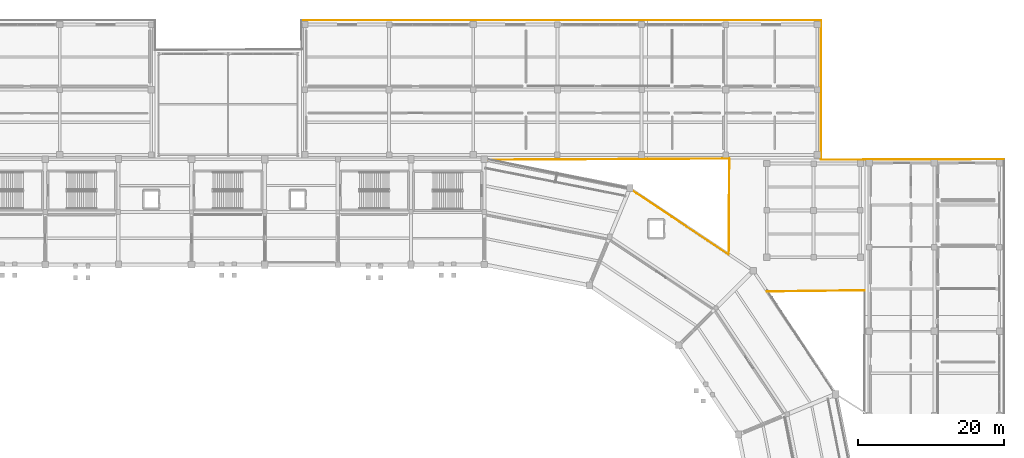
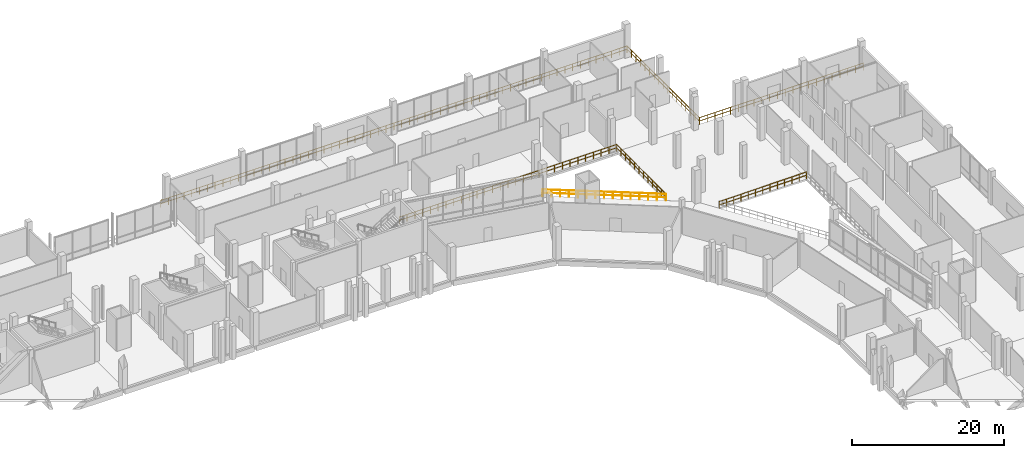
# One storey, part 114 of 114: 7 railings.
"""IFC4 building model written with IfcOpenShell, lengths in metres."""

from ifc_helpers import new_model, si_unit, direction, frame, origin, origin_2d, place, context, subcontext, project, spatial, circle, extrude, material, layer, layer_set, type_object, element, save


model = new_model("IFC4")

# Units and contexts
model_context = context("Model", 3, precision=1e-05, world=origin(), true_north=direction((0.0, 1.0)))
body_context = subcontext(model_context, "Body", "Model", "MODEL_VIEW")
ifc_project = project(units=[si_unit("LENGTHUNIT", "METRE"), si_unit("AREAUNIT", "SQUARE_METRE"), si_unit("VOLUMEUNIT", "CUBIC_METRE"), si_unit("PLANEANGLEUNIT", "RADIAN"), si_unit("MASSUNIT", "GRAM", prefix="KILO")], contexts=[model_context])

# Site, building, storey
site_placement = place(None, origin())
site = spatial("IfcSite", under=ifc_project, at=site_placement, CompositionType="ELEMENT")
building_placement = place(site_placement, origin())
building = spatial("IfcBuilding", under=site, at=building_placement, Name="Candeia Ridge Stadium", CompositionType="ELEMENT")
storey_placement = place(building_placement, frame((0.0, 0.0, 5.39990234375)))
storey = spatial("IfcBuildingStorey", under=building, at=storey_placement, Name="L01", CompositionType="ELEMENT", Elevation=5.39990234375)

# Railings
ifc_material = material(Name="Galvanized Powder-Coated Steel", Category="steel")
ifc_layer = layer(ifc_material, 0.074951171875, Name="Galvanized Powder-Coated Steel", Category="steel")
ifc_layer_set = layer_set([ifc_layer], Name="Galvanized Powder-Coated Steel")
railing_type = type_object("IfcRailingType", Name="Spectator Bowl Front Guardrail 1120", PredefinedType="GUARDRAIL", material=ifc_layer_set)
railing_1_placement = place(storey_placement, frame((116.0, 166.0, 0.0)))
element("IfcRailing", 1, at=railing_1_placement, inside=storey, type_object=railing_type, Name="Deck edge safety guardrail GR-DE-L01-0008", PredefinedType="GUARDRAIL", context=body_context, shape_type="SweptSolid", body=[
    extrude(circle(Radius=0.02392578125, at=origin_2d()), frame((0.0, 0.0, 1.09619140625), z_axis=(1.0, 0.0, 0.0), x_axis=(0.0, 1.0, 0.0)), (0.0, 0.0, 1.0), 71.0),
    extrude(circle(Radius=0.02392578125, at=origin_2d()), frame((0.0, 0.0, 0.56005859375), z_axis=(1.0, 0.0, 0.0), x_axis=(0.0, 1.0, 0.0)), (0.0, 0.0, 1.0), 71.0),
    extrude(circle(Radius=0.02099609375, at=origin_2d()), origin(), (0.0, 0.0, 1.0), 1.072021484375),
    extrude(circle(Radius=0.02099609375, at=origin_2d()), frame((1.183349609375, 0.0, 0.0)), (0.0, 0.0, 1.0), 1.072021484375),
    extrude(circle(Radius=0.02099609375, at=origin_2d()), frame((2.36669921875, 0.0, 0.0)), (0.0, 0.0, 1.0), 1.072021484375),
    extrude(circle(Radius=0.02099609375, at=origin_2d()), frame((3.550048828125, 0.0, 0.0)), (0.0, 0.0, 1.0), 1.072021484375),
    extrude(circle(Radius=0.02099609375, at=origin_2d()), frame((4.7333984375, 0.0, 0.0)), (0.0, 0.0, 1.0), 1.072021484375),
    extrude(circle(Radius=0.02099609375, at=origin_2d()), frame((5.916748046875, 0.0, 0.0)), (0.0, 0.0, 1.0), 1.072021484375),
    extrude(circle(Radius=0.02099609375, at=origin_2d()), frame((7.10009765625, 0.0, 0.0)), (0.0, 0.0, 1.0), 1.072021484375),
    extrude(circle(Radius=0.02099609375, at=origin_2d()), frame((8.283447265625, 0.0, 0.0)), (0.0, 0.0, 1.0), 1.072021484375),
    extrude(circle(Radius=0.02099609375, at=origin_2d()), frame((9.466552734375, 0.0, 0.0)), (0.0, 0.0, 1.0), 1.072021484375),
    extrude(circle(Radius=0.02099609375, at=origin_2d()), frame((10.64990234375, 0.0, 0.0)), (0.0, 0.0, 1.0), 1.072021484375),
    extrude(circle(Radius=0.02099609375, at=origin_2d()), frame((11.833251953125, 0.0, 0.0)), (0.0, 0.0, 1.0), 1.072021484375),
    extrude(circle(Radius=0.02099609375, at=origin_2d()), frame((13.0166015625, 0.0, 0.0)), (0.0, 0.0, 1.0), 1.072021484375),
    extrude(circle(Radius=0.02099609375, at=origin_2d()), frame((14.199951171875, 0.0, 0.0)), (0.0, 0.0, 1.0), 1.072021484375),
    extrude(circle(Radius=0.02099609375, at=origin_2d()), frame((15.38330078125, 0.0, 0.0)), (0.0, 0.0, 1.0), 1.072021484375),
    extrude(circle(Radius=0.02099609375, at=origin_2d()), frame((16.566650390625, 0.0, 0.0)), (0.0, 0.0, 1.0), 1.072021484375),
    extrude(circle(Radius=0.02099609375, at=origin_2d()), frame((17.75, 0.0, 0.0)), (0.0, 0.0, 1.0), 1.072021484375),
    extrude(circle(Radius=0.02099609375, at=origin_2d()), frame((18.933349609375, 0.0, 0.0)), (0.0, 0.0, 1.0), 1.072021484375),
    extrude(circle(Radius=0.02099609375, at=origin_2d()), frame((20.11669921875, 0.0, 0.0)), (0.0, 0.0, 1.0), 1.072021484375),
    extrude(circle(Radius=0.02099609375, at=origin_2d()), frame((21.300048828125, 0.0, 0.0)), (0.0, 0.0, 1.0), 1.072021484375),
    extrude(circle(Radius=0.02099609375, at=origin_2d()), frame((22.4833984375, 0.0, 0.0)), (0.0, 0.0, 1.0), 1.072021484375),
    extrude(circle(Radius=0.02099609375, at=origin_2d()), frame((23.666748046875, 0.0, 0.0)), (0.0, 0.0, 1.0), 1.072021484375),
    extrude(circle(Radius=0.02099609375, at=origin_2d()), frame((24.85009765625, 0.0, 0.0)), (0.0, 0.0, 1.0), 1.072021484375),
    extrude(circle(Radius=0.02099609375, at=origin_2d()), frame((26.033447265625, 0.0, 0.0)), (0.0, 0.0, 1.0), 1.072021484375),
    extrude(circle(Radius=0.02099609375, at=origin_2d()), frame((27.216552734375, 0.0, 0.0)), (0.0, 0.0, 1.0), 1.072021484375),
    extrude(circle(Radius=0.02099609375, at=origin_2d()), frame((28.39990234375, 0.0, 0.0)), (0.0, 0.0, 1.0), 1.072021484375),
    extrude(circle(Radius=0.02099609375, at=origin_2d()), frame((29.583251953125, 0.0, 0.0)), (0.0, 0.0, 1.0), 1.072021484375),
    extrude(circle(Radius=0.02099609375, at=origin_2d()), frame((30.7666015625, 0.0, 0.0)), (0.0, 0.0, 1.0), 1.072021484375),
    extrude(circle(Radius=0.02099609375, at=origin_2d()), frame((31.949951171875, 0.0, 0.0)), (0.0, 0.0, 1.0), 1.072021484375),
    extrude(circle(Radius=0.02099609375, at=origin_2d()), frame((33.13330078125, 0.0, 0.0)), (0.0, 0.0, 1.0), 1.072021484375),
    extrude(circle(Radius=0.02099609375, at=origin_2d()), frame((34.316650390625, 0.0, 0.0)), (0.0, 0.0, 1.0), 1.072021484375),
    extrude(circle(Radius=0.02099609375, at=origin_2d()), frame((35.5, 0.0, 0.0)), (0.0, 0.0, 1.0), 1.072021484375),
    extrude(circle(Radius=0.02099609375, at=origin_2d()), frame((36.683349609375, 0.0, 0.0)), (0.0, 0.0, 1.0), 1.072021484375),
    extrude(circle(Radius=0.02099609375, at=origin_2d()), frame((37.86669921875, 0.0, 0.0)), (0.0, 0.0, 1.0), 1.072021484375),
    extrude(circle(Radius=0.02099609375, at=origin_2d()), frame((39.050048828125, 0.0, 0.0)), (0.0, 0.0, 1.0), 1.072021484375),
    extrude(circle(Radius=0.02099609375, at=origin_2d()), frame((40.2333984375, 0.0, 0.0)), (0.0, 0.0, 1.0), 1.072021484375),
    extrude(circle(Radius=0.02099609375, at=origin_2d()), frame((41.416748046875, 0.0, 0.0)), (0.0, 0.0, 1.0), 1.072021484375),
    extrude(circle(Radius=0.02099609375, at=origin_2d()), frame((42.60009765625, 0.0, 0.0)), (0.0, 0.0, 1.0), 1.072021484375),
    extrude(circle(Radius=0.02099609375, at=origin_2d()), frame((43.783447265625, 0.0, 0.0)), (0.0, 0.0, 1.0), 1.072021484375),
    extrude(circle(Radius=0.02099609375, at=origin_2d()), frame((44.966552734375, 0.0, 0.0)), (0.0, 0.0, 1.0), 1.072021484375),
    extrude(circle(Radius=0.02099609375, at=origin_2d()), frame((46.14990234375, 0.0, 0.0)), (0.0, 0.0, 1.0), 1.072021484375),
    extrude(circle(Radius=0.02099609375, at=origin_2d()), frame((47.333251953125, 0.0, 0.0)), (0.0, 0.0, 1.0), 1.072021484375),
    extrude(circle(Radius=0.02099609375, at=origin_2d()), frame((48.5166015625, 0.0, 0.0)), (0.0, 0.0, 1.0), 1.072021484375),
    extrude(circle(Radius=0.02099609375, at=origin_2d()), frame((49.699951171875, 0.0, 0.0)), (0.0, 0.0, 1.0), 1.072021484375),
    extrude(circle(Radius=0.02099609375, at=origin_2d()), frame((50.88330078125, 0.0, 0.0)), (0.0, 0.0, 1.0), 1.072021484375),
    extrude(circle(Radius=0.02099609375, at=origin_2d()), frame((52.066650390625, 0.0, 0.0)), (0.0, 0.0, 1.0), 1.072021484375),
    extrude(circle(Radius=0.02099609375, at=origin_2d()), frame((53.25, 0.0, 0.0)), (0.0, 0.0, 1.0), 1.072021484375),
    extrude(circle(Radius=0.02099609375, at=origin_2d()), frame((54.433349609375, 0.0, 0.0)), (0.0, 0.0, 1.0), 1.072021484375),
    extrude(circle(Radius=0.02099609375, at=origin_2d()), frame((55.61669921875, 0.0, 0.0)), (0.0, 0.0, 1.0), 1.072021484375),
    extrude(circle(Radius=0.02099609375, at=origin_2d()), frame((56.800048828125, 0.0, 0.0)), (0.0, 0.0, 1.0), 1.072021484375),
    extrude(circle(Radius=0.02099609375, at=origin_2d()), frame((57.9833984375, 0.0, 0.0)), (0.0, 0.0, 1.0), 1.072021484375),
    extrude(circle(Radius=0.02099609375, at=origin_2d()), frame((59.166748046875, 0.0, 0.0)), (0.0, 0.0, 1.0), 1.072021484375),
    extrude(circle(Radius=0.02099609375, at=origin_2d()), frame((60.35009765625, 0.0, 0.0)), (0.0, 0.0, 1.0), 1.072021484375),
    extrude(circle(Radius=0.02099609375, at=origin_2d()), frame((61.533447265625, 0.0, 0.0)), (0.0, 0.0, 1.0), 1.072021484375),
    extrude(circle(Radius=0.02099609375, at=origin_2d()), frame((62.716552734375, 0.0, 0.0)), (0.0, 0.0, 1.0), 1.072021484375),
    extrude(circle(Radius=0.02099609375, at=origin_2d()), frame((63.89990234375, 0.0, 0.0)), (0.0, 0.0, 1.0), 1.072021484375),
    extrude(circle(Radius=0.02099609375, at=origin_2d()), frame((65.083251953125, 0.0, 0.0)), (0.0, 0.0, 1.0), 1.072021484375),
    extrude(circle(Radius=0.02099609375, at=origin_2d()), frame((66.2666015625, 0.0, 0.0)), (0.0, 0.0, 1.0), 1.072021484375),
    extrude(circle(Radius=0.02099609375, at=origin_2d()), frame((67.449951171875, 0.0, 0.0)), (0.0, 0.0, 1.0), 1.072021484375),
    extrude(circle(Radius=0.02099609375, at=origin_2d()), frame((68.63330078125, 0.0, 0.0)), (0.0, 0.0, 1.0), 1.072021484375),
    extrude(circle(Radius=0.02099609375, at=origin_2d()), frame((69.816650390625, 0.0, 0.0)), (0.0, 0.0, 1.0), 1.072021484375),
    extrude(circle(Radius=0.02099609375, at=origin_2d()), frame((71.0, 0.0, 0.0)), (0.0, 0.0, 1.0), 1.072021484375),
])
railing_2_placement = place(storey_placement, frame((187.0, 166.0, 0.0)))
element("IfcRailing", 2, at=railing_2_placement, inside=storey, type_object=railing_type, Name="Deck edge safety guardrail GR-DE-L01-0009", PredefinedType="GUARDRAIL", context=body_context, shape_type="SweptSolid", body=[
    extrude(circle(Radius=0.02392578125, at=origin_2d()), frame((0.0, 0.0, 1.09619140625), z_axis=(0.0, -1.0, 0.0), x_axis=(1.0, 0.0, 0.0)), (0.0, 0.0, 1.0), 19.080078125),
    extrude(circle(Radius=0.02392578125, at=origin_2d()), frame((0.0, 0.0, 0.56005859375), z_axis=(0.0, -1.0, 0.0), x_axis=(1.0, 0.0, 0.0)), (0.0, 0.0, 1.0), 19.080078125),
    extrude(circle(Radius=0.02099609375, at=origin_2d()), origin(), (0.0, 0.0, 1.0), 1.072021484375),
    extrude(circle(Radius=0.02099609375, at=origin_2d()), frame((0.0, -1.1923828125, 0.0)), (0.0, 0.0, 1.0), 1.072021484375),
    extrude(circle(Radius=0.02099609375, at=origin_2d()), frame((0.0, -2.385009765625, 0.0)), (0.0, 0.0, 1.0), 1.072021484375),
    extrude(circle(Radius=0.02099609375, at=origin_2d()), frame((0.0, -3.57763671875, 0.0)), (0.0, 0.0, 1.0), 1.072021484375),
    extrude(circle(Radius=0.02099609375, at=origin_2d()), frame((0.0, -4.77001953125, 0.0)), (0.0, 0.0, 1.0), 1.072021484375),
    extrude(circle(Radius=0.02099609375, at=origin_2d()), frame((0.0, -5.96240234375, 0.0)), (0.0, 0.0, 1.0), 1.072021484375),
    extrude(circle(Radius=0.02099609375, at=origin_2d()), frame((0.0, -7.155029296875, 0.0)), (0.0, 0.0, 1.0), 1.072021484375),
    extrude(circle(Radius=0.02099609375, at=origin_2d()), frame((0.0, -8.34765625, 0.0)), (0.0, 0.0, 1.0), 1.072021484375),
    extrude(circle(Radius=0.02099609375, at=origin_2d()), frame((0.0, -9.5400390625, 0.0)), (0.0, 0.0, 1.0), 1.072021484375),
    extrude(circle(Radius=0.02099609375, at=origin_2d()), frame((0.0, -10.732421875, 0.0)), (0.0, 0.0, 1.0), 1.072021484375),
    extrude(circle(Radius=0.02099609375, at=origin_2d()), frame((0.0, -11.925048828125, 0.0)), (0.0, 0.0, 1.0), 1.072021484375),
    extrude(circle(Radius=0.02099609375, at=origin_2d()), frame((0.0, -13.11767578125, 0.0)), (0.0, 0.0, 1.0), 1.072021484375),
    extrude(circle(Radius=0.02099609375, at=origin_2d()), frame((0.0, -14.31005859375, 0.0)), (0.0, 0.0, 1.0), 1.072021484375),
    extrude(circle(Radius=0.02099609375, at=origin_2d()), frame((0.0, -15.50244140625, 0.0)), (0.0, 0.0, 1.0), 1.072021484375),
    extrude(circle(Radius=0.02099609375, at=origin_2d()), frame((0.0, -16.695068359375, 0.0)), (0.0, 0.0, 1.0), 1.072021484375),
    extrude(circle(Radius=0.02099609375, at=origin_2d()), frame((0.0, -17.8876953125, 0.0)), (0.0, 0.0, 1.0), 1.072021484375),
    extrude(circle(Radius=0.02099609375, at=origin_2d()), frame((0.0, -19.080078125, 0.0)), (0.0, 0.0, 1.0), 1.072021484375),
])
railing_3_placement = place(storey_placement, frame((187.0, 146.919921875, 0.0)))
element("IfcRailing", 3, at=railing_3_placement, inside=storey, type_object=railing_type, Name="Deck edge safety guardrail GR-DE-L01-0010", PredefinedType="GUARDRAIL", context=body_context, shape_type="SweptSolid", body=[
    extrude(circle(Radius=0.02392578125, at=origin_2d()), frame((0.0, 0.0, 1.09619140625), z_axis=(0.999994870035, 0.003203108568, 0.0), x_axis=(-0.003203108568, 0.999994870035, 0.0)), (0.0, 0.0, 1.0), 25.000244140625),
    extrude(circle(Radius=0.02392578125, at=origin_2d()), frame((0.0, 0.0, 0.56005859375), z_axis=(0.999994870035, 0.003203108568, 0.0), x_axis=(-0.003203108568, 0.999994870035, 0.0)), (0.0, 0.0, 1.0), 25.000244140625),
    extrude(circle(Radius=0.02099609375, at=origin_2d()), origin(), (0.0, 0.0, 1.0), 1.072021484375),
    extrude(circle(Radius=0.02099609375, at=origin_2d()), frame((1.1904296875, 0.00390625, 0.0)), (0.0, 0.0, 1.0), 1.072021484375),
    extrude(circle(Radius=0.02099609375, at=origin_2d()), frame((2.380859375, 0.007568359375, 0.0)), (0.0, 0.0, 1.0), 1.072021484375),
    extrude(circle(Radius=0.02099609375, at=origin_2d()), frame((3.571533203125, 0.011474609375, 0.0)), (0.0, 0.0, 1.0), 1.072021484375),
    extrude(circle(Radius=0.02099609375, at=origin_2d()), frame((4.761962890625, 0.01513671875, 0.0)), (0.0, 0.0, 1.0), 1.072021484375),
    extrude(circle(Radius=0.02099609375, at=origin_2d()), frame((5.952392578125, 0.01904296875, 0.0)), (0.0, 0.0, 1.0), 1.072021484375),
    extrude(circle(Radius=0.02099609375, at=origin_2d()), frame((7.142822265625, 0.02294921875, 0.0)), (0.0, 0.0, 1.0), 1.072021484375),
    extrude(circle(Radius=0.02099609375, at=origin_2d()), frame((8.333251953125, 0.026611328125, 0.0)), (0.0, 0.0, 1.0), 1.072021484375),
    extrude(circle(Radius=0.02099609375, at=origin_2d()), frame((9.52392578125, 0.030517578125, 0.0)), (0.0, 0.0, 1.0), 1.072021484375),
    extrude(circle(Radius=0.02099609375, at=origin_2d()), frame((10.71435546875, 0.034423828125, 0.0)), (0.0, 0.0, 1.0), 1.072021484375),
    extrude(circle(Radius=0.02099609375, at=origin_2d()), frame((11.90478515625, 0.0380859375, 0.0)), (0.0, 0.0, 1.0), 1.072021484375),
    extrude(circle(Radius=0.02099609375, at=origin_2d()), frame((13.09521484375, 0.0419921875, 0.0)), (0.0, 0.0, 1.0), 1.072021484375),
    extrude(circle(Radius=0.02099609375, at=origin_2d()), frame((14.28564453125, 0.045654296875, 0.0)), (0.0, 0.0, 1.0), 1.072021484375),
    extrude(circle(Radius=0.02099609375, at=origin_2d()), frame((15.47607421875, 0.049560546875, 0.0)), (0.0, 0.0, 1.0), 1.072021484375),
    extrude(circle(Radius=0.02099609375, at=origin_2d()), frame((16.666748046875, 0.053466796875, 0.0)), (0.0, 0.0, 1.0), 1.072021484375),
    extrude(circle(Radius=0.02099609375, at=origin_2d()), frame((17.857177734375, 0.05712890625, 0.0)), (0.0, 0.0, 1.0), 1.072021484375),
    extrude(circle(Radius=0.02099609375, at=origin_2d()), frame((19.047607421875, 0.06103515625, 0.0)), (0.0, 0.0, 1.0), 1.072021484375),
    extrude(circle(Radius=0.02099609375, at=origin_2d()), frame((20.238037109375, 0.06494140625, 0.0)), (0.0, 0.0, 1.0), 1.072021484375),
    extrude(circle(Radius=0.02099609375, at=origin_2d()), frame((21.428466796875, 0.068603515625, 0.0)), (0.0, 0.0, 1.0), 1.072021484375),
    extrude(circle(Radius=0.02099609375, at=origin_2d()), frame((22.619140625, 0.072509765625, 0.0)), (0.0, 0.0, 1.0), 1.072021484375),
    extrude(circle(Radius=0.02099609375, at=origin_2d()), frame((23.8095703125, 0.076171875, 0.0)), (0.0, 0.0, 1.0), 1.072021484375),
    extrude(circle(Radius=0.02099609375, at=origin_2d()), frame((25.0, 0.080078125, 0.0)), (0.0, 0.0, 1.0), 1.072021484375),
])
railing_4_placement = place(storey_placement, frame((193.0, 129.080078125, 0.0)))
element("IfcRailing", 4, at=railing_4_placement, inside=storey, type_object=railing_type, Name="Deck edge safety guardrail GR-DE-L01-0022", PredefinedType="GUARDRAIL", context=body_context, shape_type="SweptSolid", body=[
    extrude(circle(Radius=0.02392578125, at=origin_2d()), frame((0.0, 0.0, 1.09619140625), z_axis=(-0.999928368095, -0.011969071773, 0.0), x_axis=(0.011969071773, -0.999928368095, 0.0)), (0.0, 0.0, 1.0), 13.380859375),
    extrude(circle(Radius=0.02392578125, at=origin_2d()), frame((0.0, 0.0, 0.56005859375), z_axis=(-0.999928368095, -0.011969071773, 0.0), x_axis=(0.011969071773, -0.999928368095, 0.0)), (0.0, 0.0, 1.0), 13.380859375),
    extrude(circle(Radius=0.02099609375, at=origin_2d()), origin(), (0.0, 0.0, 1.0), 1.072021484375),
    extrude(circle(Radius=0.02099609375, at=origin_2d()), frame((-1.114990234375, -0.013427734375, 0.0)), (0.0, 0.0, 1.0), 1.072021484375),
    extrude(circle(Radius=0.02099609375, at=origin_2d()), frame((-2.22998046875, -0.026611328125, 0.0)), (0.0, 0.0, 1.0), 1.072021484375),
    extrude(circle(Radius=0.02099609375, at=origin_2d()), frame((-3.344970703125, -0.0400390625, 0.0)), (0.0, 0.0, 1.0), 1.072021484375),
    extrude(circle(Radius=0.02099609375, at=origin_2d()), frame((-4.4599609375, -0.053466796875, 0.0)), (0.0, 0.0, 1.0), 1.072021484375),
    extrude(circle(Radius=0.02099609375, at=origin_2d()), frame((-5.574951171875, -0.066650390625, 0.0)), (0.0, 0.0, 1.0), 1.072021484375),
    extrude(circle(Radius=0.02099609375, at=origin_2d()), frame((-6.68994140625, -0.080078125, 0.0)), (0.0, 0.0, 1.0), 1.072021484375),
    extrude(circle(Radius=0.02099609375, at=origin_2d()), frame((-7.804931640625, -0.093505859375, 0.0)), (0.0, 0.0, 1.0), 1.072021484375),
    extrude(circle(Radius=0.02099609375, at=origin_2d()), frame((-8.919921875, -0.106689453125, 0.0)), (0.0, 0.0, 1.0), 1.072021484375),
    extrude(circle(Radius=0.02099609375, at=origin_2d()), frame((-10.034912109375, -0.1201171875, 0.0)), (0.0, 0.0, 1.0), 1.072021484375),
    extrude(circle(Radius=0.02099609375, at=origin_2d()), frame((-11.14990234375, -0.133544921875, 0.0)), (0.0, 0.0, 1.0), 1.072021484375),
    extrude(circle(Radius=0.02099609375, at=origin_2d()), frame((-12.264892578125, -0.146728515625, 0.0)), (0.0, 0.0, 1.0), 1.072021484375),
    extrude(circle(Radius=0.02099609375, at=origin_2d()), frame((-13.3798828125, -0.16015625, 0.0)), (0.0, 0.0, 1.0), 1.072021484375),
])
railing_5_placement = place(storey_placement, frame((160.85498046875, 142.97509765625, 0.0)))
element("IfcRailing", 5, at=railing_5_placement, inside=storey, type_object=railing_type, Name="Deck edge safety guardrail GR-DE-L01-0032", PredefinedType="GUARDRAIL", context=body_context, shape_type="SweptSolid", body=[
    extrude(circle(Radius=0.02392578125, at=origin_2d()), frame((0.0, 0.0, 1.09619140625), z_axis=(0.832681494544, -0.553752226763, 0.0), x_axis=(0.553752226763, 0.832681494544, 0.0)), (0.0, 0.0, 1.0), 16.290771484375),
    extrude(circle(Radius=0.02392578125, at=origin_2d()), frame((0.0, 0.0, 0.56005859375), z_axis=(0.832681494544, -0.553752226763, 0.0), x_axis=(0.553752226763, 0.832681494544, 0.0)), (0.0, 0.0, 1.0), 16.290771484375),
    extrude(circle(Radius=0.02099609375, at=origin_2d()), origin(), (0.0, 0.0, 1.0), 1.072021484375),
    extrude(circle(Radius=0.02099609375, at=origin_2d()), frame((0.968994140625, -0.644287109375, 0.0)), (0.0, 0.0, 1.0), 1.072021484375),
    extrude(circle(Radius=0.02099609375, at=origin_2d()), frame((1.937744140625, -1.288818359375, 0.0)), (0.0, 0.0, 1.0), 1.072021484375),
    extrude(circle(Radius=0.02099609375, at=origin_2d()), frame((2.90673828125, -1.93310546875, 0.0)), (0.0, 0.0, 1.0), 1.072021484375),
    extrude(circle(Radius=0.02099609375, at=origin_2d()), frame((3.875732421875, -2.577392578125, 0.0)), (0.0, 0.0, 1.0), 1.072021484375),
    extrude(circle(Radius=0.02099609375, at=origin_2d()), frame((4.8447265625, -3.2216796875, 0.0)), (0.0, 0.0, 1.0), 1.072021484375),
    extrude(circle(Radius=0.02099609375, at=origin_2d()), frame((5.8134765625, -3.8662109375, 0.0)), (0.0, 0.0, 1.0), 1.072021484375),
    extrude(circle(Radius=0.02099609375, at=origin_2d()), frame((6.782470703125, -4.510498046875, 0.0)), (0.0, 0.0, 1.0), 1.072021484375),
    extrude(circle(Radius=0.02099609375, at=origin_2d()), frame((7.75146484375, -5.15478515625, 0.0)), (0.0, 0.0, 1.0), 1.072021484375),
    extrude(circle(Radius=0.02099609375, at=origin_2d()), frame((8.72021484375, -5.79931640625, 0.0)), (0.0, 0.0, 1.0), 1.072021484375),
    extrude(circle(Radius=0.02099609375, at=origin_2d()), frame((9.689208984375, -6.443603515625, 0.0)), (0.0, 0.0, 1.0), 1.072021484375),
    extrude(circle(Radius=0.02099609375, at=origin_2d()), frame((10.658203125, -7.087890625, 0.0)), (0.0, 0.0, 1.0), 1.072021484375),
    extrude(circle(Radius=0.02099609375, at=origin_2d()), frame((11.627197265625, -7.732177734375, 0.0)), (0.0, 0.0, 1.0), 1.072021484375),
    extrude(circle(Radius=0.02099609375, at=origin_2d()), frame((12.595947265625, -8.376708984375, 0.0)), (0.0, 0.0, 1.0), 1.072021484375),
    extrude(circle(Radius=0.02099609375, at=origin_2d()), frame((13.56494140625, -9.02099609375, 0.0)), (0.0, 0.0, 1.0), 1.072021484375),
])
railing_6_placement = place(storey_placement, frame((174.419921875, 133.9541015625, 0.0)))
element("IfcRailing", 6, at=railing_6_placement, inside=storey, type_object=railing_type, Name="Deck edge safety guardrail GR-DE-L01-0033", PredefinedType="GUARDRAIL", context=body_context, shape_type="SweptSolid", body=[
    extrude(circle(Radius=0.02392578125, at=origin_2d()), frame((0.0, 0.0, 1.09619140625), z_axis=(0.006100623024, 0.999981391026, 0.0), x_axis=(-0.999981391026, 0.006100623024, 0.0)), (0.0, 0.0, 1.0), 13.126220703125),
    extrude(circle(Radius=0.02392578125, at=origin_2d()), frame((0.0, 0.0, 0.56005859375), z_axis=(0.006100623024, 0.999981391026, 0.0), x_axis=(-0.999981391026, 0.006100623024, 0.0)), (0.0, 0.0, 1.0), 13.126220703125),
    extrude(circle(Radius=0.02099609375, at=origin_2d()), origin(), (0.0, 0.0, 1.0), 1.072021484375),
    extrude(circle(Radius=0.02099609375, at=origin_2d()), frame((0.00732421875, 1.193359375, 0.0)), (0.0, 0.0, 1.0), 1.072021484375),
    extrude(circle(Radius=0.02099609375, at=origin_2d()), frame((0.0146484375, 2.386474609375, 0.0)), (0.0, 0.0, 1.0), 1.072021484375),
    extrude(circle(Radius=0.02099609375, at=origin_2d()), frame((0.021728515625, 3.579833984375, 0.0)), (0.0, 0.0, 1.0), 1.072021484375),
    extrude(circle(Radius=0.02099609375, at=origin_2d()), frame((0.029052734375, 4.773193359375, 0.0)), (0.0, 0.0, 1.0), 1.072021484375),
    extrude(circle(Radius=0.02099609375, at=origin_2d()), frame((0.036376953125, 5.96630859375, 0.0)), (0.0, 0.0, 1.0), 1.072021484375),
    extrude(circle(Radius=0.02099609375, at=origin_2d()), frame((0.043701171875, 7.15966796875, 0.0)), (0.0, 0.0, 1.0), 1.072021484375),
    extrude(circle(Radius=0.02099609375, at=origin_2d()), frame((0.051025390625, 8.352783203125, 0.0)), (0.0, 0.0, 1.0), 1.072021484375),
    extrude(circle(Radius=0.02099609375, at=origin_2d()), frame((0.058349609375, 9.546142578125, 0.0)), (0.0, 0.0, 1.0), 1.072021484375),
    extrude(circle(Radius=0.02099609375, at=origin_2d()), frame((0.0654296875, 10.739501953125, 0.0)), (0.0, 0.0, 1.0), 1.072021484375),
    extrude(circle(Radius=0.02099609375, at=origin_2d()), frame((0.07275390625, 11.9326171875, 0.0)), (0.0, 0.0, 1.0), 1.072021484375),
    extrude(circle(Radius=0.02099609375, at=origin_2d()), frame((0.080078125, 13.1259765625, 0.0)), (0.0, 0.0, 1.0), 1.072021484375),
])
railing_7_placement = place(storey_placement, frame((174.5, 147.080078125, 0.0)))
element("IfcRailing", 7, at=railing_7_placement, inside=storey, type_object=railing_type, Name="Deck edge safety guardrail GR-DE-L01-0034", PredefinedType="GUARDRAIL", context=body_context, shape_type="SweptSolid", body=[
    extrude(circle(Radius=0.02392578125, at=origin_2d()), frame((0.0, 0.0, 1.09619140625), z_axis=(-0.999988355172, -0.004825921688, 0.0), x_axis=(0.004825921688, -0.999988355172, 0.0)), (0.0, 0.0, 1.0), 33.186767578125),
    extrude(circle(Radius=0.02392578125, at=origin_2d()), frame((0.0, 0.0, 0.56005859375), z_axis=(-0.999988355172, -0.004825921688, 0.0), x_axis=(0.004825921688, -0.999988355172, 0.0)), (0.0, 0.0, 1.0), 33.186767578125),
    extrude(circle(Radius=0.02099609375, at=origin_2d()), origin(), (0.0, 0.0, 1.0), 1.072021484375),
    extrude(circle(Radius=0.02099609375, at=origin_2d()), frame((-1.185302734375, -0.005615234375, 0.0)), (0.0, 0.0, 1.0), 1.072021484375),
    extrude(circle(Radius=0.02099609375, at=origin_2d()), frame((-2.370361328125, -0.011474609375, 0.0)), (0.0, 0.0, 1.0), 1.072021484375),
    extrude(circle(Radius=0.02099609375, at=origin_2d()), frame((-3.5556640625, -0.01708984375, 0.0)), (0.0, 0.0, 1.0), 1.072021484375),
    extrude(circle(Radius=0.02099609375, at=origin_2d()), frame((-4.740966796875, -0.02294921875, 0.0)), (0.0, 0.0, 1.0), 1.072021484375),
    extrude(circle(Radius=0.02099609375, at=origin_2d()), frame((-5.926025390625, -0.028564453125, 0.0)), (0.0, 0.0, 1.0), 1.072021484375),
    extrude(circle(Radius=0.02099609375, at=origin_2d()), frame((-7.111328125, -0.034423828125, 0.0)), (0.0, 0.0, 1.0), 1.072021484375),
    extrude(circle(Radius=0.02099609375, at=origin_2d()), frame((-8.296630859375, -0.0400390625, 0.0)), (0.0, 0.0, 1.0), 1.072021484375),
    extrude(circle(Radius=0.02099609375, at=origin_2d()), frame((-9.481689453125, -0.045654296875, 0.0)), (0.0, 0.0, 1.0), 1.072021484375),
    extrude(circle(Radius=0.02099609375, at=origin_2d()), frame((-10.6669921875, -0.051513671875, 0.0)), (0.0, 0.0, 1.0), 1.072021484375),
    extrude(circle(Radius=0.02099609375, at=origin_2d()), frame((-11.852294921875, -0.05712890625, 0.0)), (0.0, 0.0, 1.0), 1.072021484375),
    extrude(circle(Radius=0.02099609375, at=origin_2d()), frame((-13.037353515625, -0.06298828125, 0.0)), (0.0, 0.0, 1.0), 1.072021484375),
    extrude(circle(Radius=0.02099609375, at=origin_2d()), frame((-14.22265625, -0.068603515625, 0.0)), (0.0, 0.0, 1.0), 1.072021484375),
    extrude(circle(Radius=0.02099609375, at=origin_2d()), frame((-15.407958984375, -0.074462890625, 0.0)), (0.0, 0.0, 1.0), 1.072021484375),
    extrude(circle(Radius=0.02099609375, at=origin_2d()), frame((-16.59326171875, -0.080078125, 0.0)), (0.0, 0.0, 1.0), 1.072021484375),
    extrude(circle(Radius=0.02099609375, at=origin_2d()), frame((-17.7783203125, -0.085693359375, 0.0)), (0.0, 0.0, 1.0), 1.072021484375),
    extrude(circle(Radius=0.02099609375, at=origin_2d()), frame((-18.963623046875, -0.091552734375, 0.0)), (0.0, 0.0, 1.0), 1.072021484375),
    extrude(circle(Radius=0.02099609375, at=origin_2d()), frame((-20.14892578125, -0.09716796875, 0.0)), (0.0, 0.0, 1.0), 1.072021484375),
    extrude(circle(Radius=0.02099609375, at=origin_2d()), frame((-21.333984375, -0.10302734375, 0.0)), (0.0, 0.0, 1.0), 1.072021484375),
    extrude(circle(Radius=0.02099609375, at=origin_2d()), frame((-22.519287109375, -0.108642578125, 0.0)), (0.0, 0.0, 1.0), 1.072021484375),
    extrude(circle(Radius=0.02099609375, at=origin_2d()), frame((-23.70458984375, -0.114501953125, 0.0)), (0.0, 0.0, 1.0), 1.072021484375),
    extrude(circle(Radius=0.02099609375, at=origin_2d()), frame((-24.8896484375, -0.1201171875, 0.0)), (0.0, 0.0, 1.0), 1.072021484375),
    extrude(circle(Radius=0.02099609375, at=origin_2d()), frame((-26.074951171875, -0.125732421875, 0.0)), (0.0, 0.0, 1.0), 1.072021484375),
    extrude(circle(Radius=0.02099609375, at=origin_2d()), frame((-27.26025390625, -0.131591796875, 0.0)), (0.0, 0.0, 1.0), 1.072021484375),
    extrude(circle(Radius=0.02099609375, at=origin_2d()), frame((-28.4453125, -0.13720703125, 0.0)), (0.0, 0.0, 1.0), 1.072021484375),
    extrude(circle(Radius=0.02099609375, at=origin_2d()), frame((-29.630615234375, -0.14306640625, 0.0)), (0.0, 0.0, 1.0), 1.072021484375),
    extrude(circle(Radius=0.02099609375, at=origin_2d()), frame((-30.81591796875, -0.148681640625, 0.0)), (0.0, 0.0, 1.0), 1.072021484375),
    extrude(circle(Radius=0.02099609375, at=origin_2d()), frame((-32.0009765625, -0.154541015625, 0.0)), (0.0, 0.0, 1.0), 1.072021484375),
    extrude(circle(Radius=0.02099609375, at=origin_2d()), frame((-33.186279296875, -0.16015625, 0.0)), (0.0, 0.0, 1.0), 1.072021484375),
])

save(model, "model.ifc")
